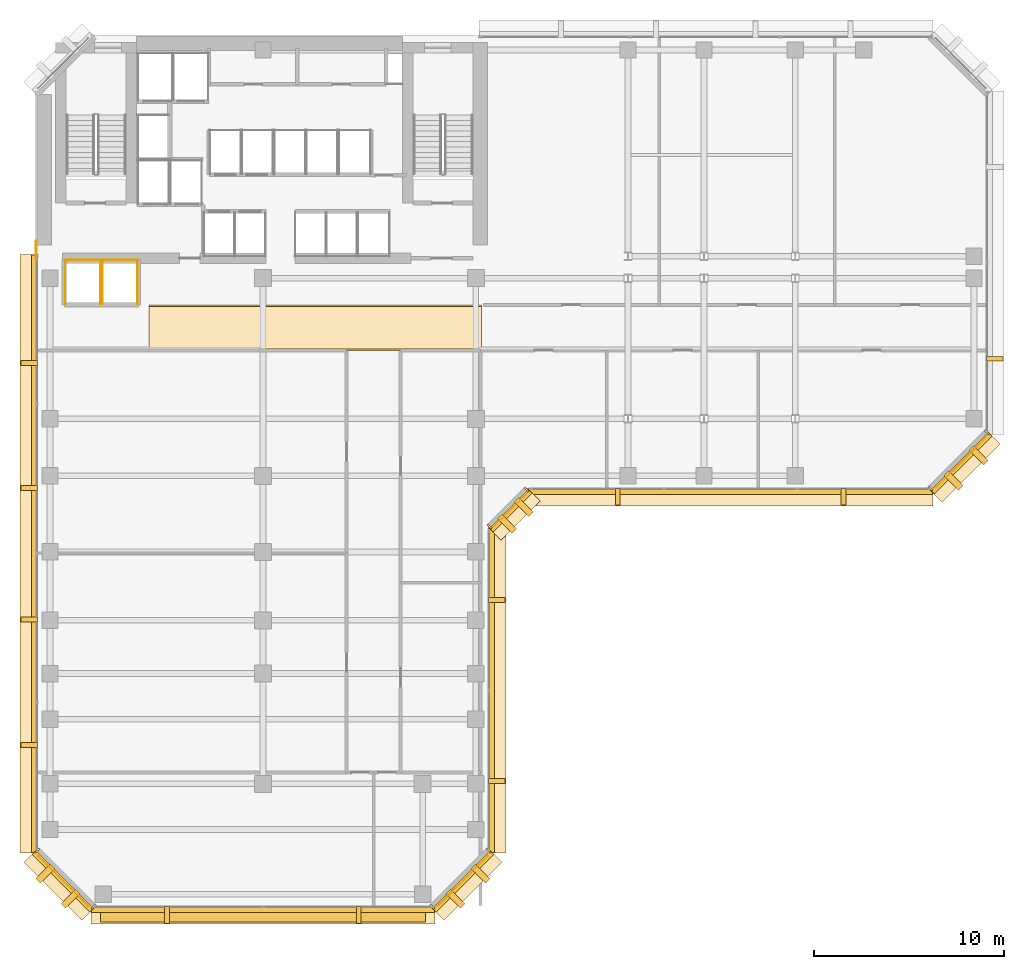
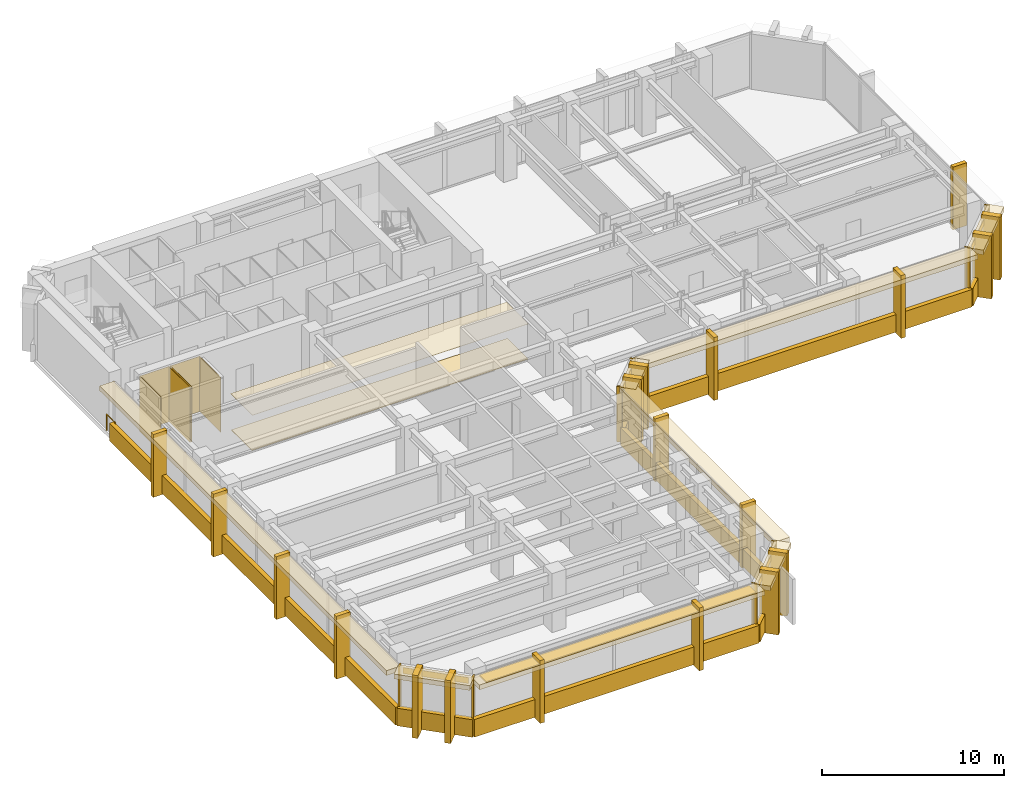
# One storey, part 9 of 12: 55 coverings, 1 railing, 1 shading device.
"""IFC4 building model written with IfcOpenShell, lengths in metres."""

from ifc_helpers import new_model, si_unit, direction, frame, origin, origin_2d, place, context, subcontext, project, spatial, polyline, rectangle, circle, outline, extrude, material, layer, layer_set, type_object, element, save


model = new_model("IFC4")

# Units and contexts
model_context = context("Model", 3, precision=1e-05, world=origin(), true_north=direction((0.0, 1.0)))
body_context = subcontext(model_context, "Body", "Model", "MODEL_VIEW")
ifc_project = project(units=[si_unit("LENGTHUNIT", "METRE"), si_unit("AREAUNIT", "SQUARE_METRE"), si_unit("VOLUMEUNIT", "CUBIC_METRE"), si_unit("PLANEANGLEUNIT", "RADIAN"), si_unit("MASSUNIT", "GRAM", prefix="KILO")], contexts=[model_context])

# Site, building, storey
site_placement = place(None, origin())
site = spatial("IfcSite", under=ifc_project, at=site_placement, CompositionType="ELEMENT")
building_placement = place(site_placement, origin())
building = spatial("IfcBuilding", under=site, at=building_placement, Name="Kefirva Bronze Tower", CompositionType="ELEMENT")
storey_placement = place(building_placement, frame((0.0, 0.0, 122.429931640625)))
storey = spatial("IfcBuildingStorey", under=building, at=storey_placement, Name="L29", CompositionType="ELEMENT", Elevation=122.429931640625)

# Coverings
ifc_material_1 = material(Name="Acoustic mineral tile")
ifc_layer_1 = layer(ifc_material_1, 0.02490234375, Name="Acoustic mineral tile")
ifc_layer_set_1 = layer_set([ifc_layer_1], Name="Acoustic mineral tile")
covering_type_1 = type_object("IfcCoveringType", Name="Acoustic Mineral Suspended Ceiling 25mm", PredefinedType="CEILING", material=ifc_layer_set_1)
covering_1_placement = place(storey_placement, frame((0.0, 0.0, 2.400146484375)))
element("IfcCovering", 1, at=covering_1_placement, inside=storey, type_object=covering_type_1, Name="L29 Corridor Acoustic Ceiling", PredefinedType="CEILING", context=body_context, shape_type="SweptSolid", body=[
    extrude(outline(polyline([(6.0, 29.39990234375), (23.5, 29.39990234375), (23.5, 31.800048828125), (6.0, 31.800048828125), (6.0, 29.39990234375)])), origin(), (0.0, 0.0, 1.0), 0.02490234375),
])
ifc_material_2 = material(Name="Bronze anodised aluminium", Category="aluminium")
ifc_layer_2 = layer(ifc_material_2, 0.02001953125, Name="Bronze anodised aluminium")
ifc_layer_set_2 = layer_set([ifc_layer_2], Name="Bronze anodised aluminium")
covering_type_2 = type_object("IfcCoveringType", Name="Anodised Bronze Spandrel Cladding 20mm", PredefinedType="CLADDING", material=ifc_layer_set_2)
covering_2_placement = place(storey_placement, frame((12.0, -0.0400390625, -0.15966796875), z_axis=(0.0, 0.0, 1.0), x_axis=(1.0, 0.0, 0.0)))
element("IfcCovering", 2, at=covering_2_placement, inside=storey, type_object=covering_type_2, Name="L29 Streamline Horizontal Spandrel Band 0", PredefinedType="CLADDING", context=body_context, shape_type="SweptSolid", body=[
    extrude(rectangle(XDim=18.0400390625, YDim=0.280029296875, at=origin_2d()), origin(), (0.0, 0.0, 1.0), 1.179931640625),
])
covering_3_placement = place(storey_placement, frame((22.507080078125, 1.492919921875, 3.2900390625), z_axis=(0.0, 0.0, 1.0), x_axis=(0.707106781187, 0.707106781187, 0.0)))
element("IfcCovering", 3, at=covering_3_placement, inside=storey, type_object=covering_type_2, Name="L29 Bronze Spandrel Cladding 1", PredefinedType="CLADDING", context=body_context, shape_type="SweptSolid", body=[
    extrude(rectangle(XDim=3.719482421875, YDim=0.02001953125, at=origin_2d()), origin(), (0.0, 0.0, 1.0), 0.39990234375),
])
for number, where, z_axis, x_axis, name in (
    (4, (20.91162109375, 0.137939453125, 0.0), (0.0, 0.0, 1.0), (0.707106781187, 0.707106781187, 0.0), "L29 Facade Joint Closure Panel 1S"),
    (5, (23.862060546875, 3.08837890625, 0.0), (0.0, 0.0, 1.0), (0.707106781187, 0.707106781187, 0.0), "L29 Facade Joint Closure Panel 1E"),
):
    element("IfcCovering", number, at=place(storey_placement, frame(where, z_axis=z_axis, x_axis=x_axis)), inside=storey, type_object=covering_type_2, Name=name, PredefinedType="CLADDING", context=body_context, shape_type="SweptSolid", body=[
        extrude(rectangle(XDim=0.10009765625, YDim=0.320068359375, at=origin_2d()), origin(), (0.0, 0.0, 1.0), 3.7099609375),
    ])
covering_4_placement = place(storey_placement, frame((22.5283203125, 1.4716796875, -0.15966796875), z_axis=(0.0, 0.0, 1.0), x_axis=(0.707106781187, 0.707106781187, 0.0)))
element("IfcCovering", 6, at=covering_4_placement, inside=storey, type_object=covering_type_2, Name="L29 Streamline Horizontal Spandrel Band 1", PredefinedType="CLADDING", context=body_context, shape_type="SweptSolid", body=[
    extrude(rectangle(XDim=4.28271484375, YDim=0.280029296875, at=origin_2d()), origin(), (0.0, 0.0, 1.0), 1.179931640625),
])
covering_5_placement = place(storey_placement, frame((24.0400390625, 11.5, -0.15966796875), z_axis=(0.0, 0.0, 1.0), x_axis=(0.0, 1.0, 0.0)))
element("IfcCovering", 7, at=covering_5_placement, inside=storey, type_object=covering_type_2, Name="L29 Streamline Horizontal Spandrel Band 2", PredefinedType="CLADDING", context=body_context, shape_type="SweptSolid", body=[
    extrude(rectangle(XDim=17.0400390625, YDim=0.280029296875, at=origin_2d()), origin(), (0.0, 0.0, 1.0), 1.179931640625),
])
covering_6_placement = place(storey_placement, frame((25.007080078125, 20.992919921875, 3.2900390625), z_axis=(0.0, 0.0, 1.0), x_axis=(0.707106781187, 0.707106781187, 0.0)))
element("IfcCovering", 8, at=covering_6_placement, inside=storey, type_object=covering_type_2, Name="L29 Bronze Spandrel Cladding 2", PredefinedType="CLADDING", context=body_context, shape_type="SweptSolid", body=[
    extrude(rectangle(XDim=2.446533203125, YDim=0.02001953125, at=origin_2d()), origin(), (0.0, 0.0, 1.0), 0.39990234375),
])
for number, where, z_axis, x_axis, name in (
    (9, (23.91162109375, 20.137939453125, 0.0), (0.0, 0.0, 1.0), (0.707106781187, 0.707106781187, 0.0), "L29 Facade Joint Closure Panel 2S"),
    (10, (25.862060546875, 22.08837890625, 0.0), (0.0, 0.0, 1.0), (0.707106781187, 0.707106781187, 0.0), "L29 Facade Joint Closure Panel 2E"),
):
    element("IfcCovering", number, at=place(storey_placement, frame(where, z_axis=z_axis, x_axis=x_axis)), inside=storey, type_object=covering_type_2, Name=name, PredefinedType="CLADDING", context=body_context, shape_type="SweptSolid", body=[
        extrude(rectangle(XDim=0.10009765625, YDim=0.320068359375, at=origin_2d()), origin(), (0.0, 0.0, 1.0), 3.7099609375),
    ])
covering_7_placement = place(storey_placement, frame((25.0283203125, 20.9716796875, -0.15966796875), z_axis=(0.0, 0.0, 1.0), x_axis=(0.707106781187, 0.707106781187, 0.0)))
element("IfcCovering", 11, at=covering_7_placement, inside=storey, type_object=covering_type_2, Name="L29 Streamline Horizontal Spandrel Band 3", PredefinedType="CLADDING", context=body_context, shape_type="SweptSolid", body=[
    extrude(rectangle(XDim=2.868408203125, YDim=0.280029296875, at=origin_2d()), origin(), (0.0, 0.0, 1.0), 1.179931640625),
])
covering_8_placement = place(storey_placement, frame((36.60009765625, 21.9599609375, -0.15966796875), z_axis=(0.0, 0.0, 1.0), x_axis=(1.0, 0.0, 0.0)))
element("IfcCovering", 12, at=covering_8_placement, inside=storey, type_object=covering_type_2, Name="L29 Streamline Horizontal Spandrel Band 4", PredefinedType="CLADDING", context=body_context, shape_type="SweptSolid", body=[
    extrude(rectangle(XDim=21.239990234375, YDim=0.280029296875, at=origin_2d()), origin(), (0.0, 0.0, 1.0), 1.179931640625),
])
covering_9_placement = place(storey_placement, frame((48.70703125, 23.492919921875, 3.2900390625), z_axis=(0.0, 0.0, 1.0), x_axis=(0.707106781187, 0.707106781187, 0.0)))
element("IfcCovering", 13, at=covering_9_placement, inside=storey, type_object=covering_type_2, Name="L29 Bronze Spandrel Cladding 3", PredefinedType="CLADDING", context=body_context, shape_type="SweptSolid", body=[
    extrude(rectangle(XDim=3.719482421875, YDim=0.02001953125, at=origin_2d()), origin(), (0.0, 0.0, 1.0), 0.39990234375),
])
for number, where, z_axis, x_axis, name in (
    (14, (47.11181640625, 22.137939453125, 0.0), (0.0, 0.0, 1.0), (0.707106781187, 0.707106781187, 0.0), "L29 Facade Joint Closure Panel 3S"),
    (15, (50.06201171875, 25.08837890625, 0.0), (0.0, 0.0, 1.0), (0.707106781187, 0.707106781187, 0.0), "L29 Facade Joint Closure Panel 3E"),
):
    element("IfcCovering", number, at=place(storey_placement, frame(where, z_axis=z_axis, x_axis=x_axis)), inside=storey, type_object=covering_type_2, Name=name, PredefinedType="CLADDING", context=body_context, shape_type="SweptSolid", body=[
        extrude(rectangle(XDim=0.10009765625, YDim=0.320068359375, at=origin_2d()), origin(), (0.0, 0.0, 1.0), 3.7099609375),
    ])
covering_10_placement = place(storey_placement, frame((48.728271484375, 23.4716796875, -0.15966796875), z_axis=(0.0, 0.0, 1.0), x_axis=(0.707106781187, 0.707106781187, 0.0)))
element("IfcCovering", 16, at=covering_10_placement, inside=storey, type_object=covering_type_2, Name="L29 Streamline Horizontal Spandrel Band 5", PredefinedType="CLADDING", context=body_context, shape_type="SweptSolid", body=[
    extrude(rectangle(XDim=4.28271484375, YDim=0.280029296875, at=origin_2d()), origin(), (0.0, 0.0, 1.0), 1.179931640625),
])
covering_11_placement = place(storey_placement, frame((-0.0400390625, 18.697509765625, -0.15966796875), z_axis=(0.0, 0.0, 1.0), x_axis=(0.0, -1.0, 0.0)))
element("IfcCovering", 17, at=covering_11_placement, inside=storey, type_object=covering_type_2, Name="L29 Streamline Horizontal Spandrel Band 10", PredefinedType="CLADDING", context=body_context, shape_type="SweptSolid", body=[
    extrude(rectangle(XDim=31.43505859375, YDim=0.280029296875, at=origin_2d()), origin(), (0.0, 0.0, 1.0), 1.179931640625),
])
covering_12_placement = place(storey_placement, frame((1.492919921875, 1.492919921875, 3.2900390625), z_axis=(0.0, 0.0, 1.0), x_axis=(0.707106781187, -0.707106781187, 0.0)))
element("IfcCovering", 18, at=covering_12_placement, inside=storey, type_object=covering_type_2, Name="L29 Bronze Spandrel Cladding 6", PredefinedType="CLADDING", context=body_context, shape_type="SweptSolid", body=[
    extrude(rectangle(XDim=3.719482421875, YDim=0.02001953125, at=origin_2d()), origin(), (0.0, 0.0, 1.0), 0.39990234375),
])
for number, where, z_axis, x_axis, name in (
    (19, (0.137939453125, 3.08837890625, 0.0), (0.0, 0.0, 1.0), (0.707106781187, -0.707106781187, 0.0), "L29 Facade Joint Closure Panel 6S"),
    (20, (3.08837890625, 0.137939453125, 0.0), (0.0, 0.0, 1.0), (0.707106781187, -0.707106781187, 0.0), "L29 Facade Joint Closure Panel 6E"),
):
    element("IfcCovering", number, at=place(storey_placement, frame(where, z_axis=z_axis, x_axis=x_axis)), inside=storey, type_object=covering_type_2, Name=name, PredefinedType="CLADDING", context=body_context, shape_type="SweptSolid", body=[
        extrude(rectangle(XDim=0.10009765625, YDim=0.320068359375, at=origin_2d()), origin(), (0.0, 0.0, 1.0), 3.7099609375),
    ])
covering_13_placement = place(storey_placement, frame((1.4716796875, 1.4716796875, -0.15966796875), z_axis=(0.0, 0.0, 1.0), x_axis=(0.707106781187, -0.707106781187, 0.0)))
element("IfcCovering", 21, at=covering_13_placement, inside=storey, type_object=covering_type_2, Name="L29 Streamline Horizontal Spandrel Band 11", PredefinedType="CLADDING", context=body_context, shape_type="SweptSolid", body=[
    extrude(rectangle(XDim=4.28271484375, YDim=0.280029296875, at=origin_2d()), origin(), (0.0, 0.0, 1.0), 1.179931640625),
])
covering_14_placement = place(storey_placement, origin())
element("IfcCovering", 22, at=covering_14_placement, inside=storey, type_object=covering_type_2, Name="L29 Lift OB1 Hoistway Liner N", PredefinedType="CLADDING", context=body_context, shape_type="SweptSolid", body=[
    extrude(outline(polyline([(1.580078125, 34.139892578125), (3.469970703125, 34.139892578125), (3.469970703125, 34.159912109375), (1.580078125, 34.159912109375), (1.580078125, 34.139892578125)])), origin(), (0.0, 0.0, 1.0), 3.7099609375),
])
covering_15_placement = place(storey_placement, origin())
element("IfcCovering", 23, at=covering_15_placement, inside=storey, type_object=covering_type_2, Name="L29 Lift OB1 Hoistway Liner W", PredefinedType="CLADDING", context=body_context, shape_type="SweptSolid", body=[
    extrude(outline(polyline([(1.590087890625, 31.830078125), (1.610107421875, 31.830078125), (1.610107421875, 34.169921875), (1.590087890625, 34.169921875), (1.590087890625, 31.830078125)])), origin(), (0.0, 0.0, 1.0), 3.7099609375),
])
covering_16_placement = place(storey_placement, origin())
element("IfcCovering", 24, at=covering_16_placement, inside=storey, type_object=covering_type_2, Name="L29 Lift OB1 Hoistway Liner E", PredefinedType="CLADDING", context=body_context, shape_type="SweptSolid", body=[
    extrude(outline(polyline([(3.43994140625, 31.830078125), (3.4599609375, 31.830078125), (3.4599609375, 34.169921875), (3.43994140625, 34.169921875), (3.43994140625, 31.830078125)])), origin(), (0.0, 0.0, 1.0), 3.7099609375),
])
covering_17_placement = place(storey_placement, origin())
element("IfcCovering", 25, at=covering_17_placement, inside=storey, type_object=covering_type_2, Name="L29 Lift OB2 Hoistway Liner N", PredefinedType="CLADDING", context=body_context, shape_type="SweptSolid", body=[
    extrude(outline(polyline([(3.530029296875, 34.139892578125), (5.419921875, 34.139892578125), (5.419921875, 34.159912109375), (3.530029296875, 34.159912109375), (3.530029296875, 34.139892578125)])), origin(), (0.0, 0.0, 1.0), 3.7099609375),
])
covering_18_placement = place(storey_placement, origin())
element("IfcCovering", 26, at=covering_18_placement, inside=storey, type_object=covering_type_2, Name="L29 Lift OB2 Hoistway Liner W", PredefinedType="CLADDING", context=body_context, shape_type="SweptSolid", body=[
    extrude(outline(polyline([(3.5400390625, 31.830078125), (3.56005859375, 31.830078125), (3.56005859375, 34.169921875), (3.5400390625, 34.169921875), (3.5400390625, 31.830078125)])), origin(), (0.0, 0.0, 1.0), 3.7099609375),
])
covering_19_placement = place(storey_placement, origin())
element("IfcCovering", 27, at=covering_19_placement, inside=storey, type_object=covering_type_2, Name="L29 Lift OB2 Hoistway Liner E", PredefinedType="CLADDING", context=body_context, shape_type="SweptSolid", body=[
    extrude(outline(polyline([(5.389892578125, 31.830078125), (5.409912109375, 31.830078125), (5.409912109375, 34.169921875), (5.389892578125, 34.169921875), (5.389892578125, 31.830078125)])), origin(), (0.0, 0.0, 1.0), 3.7099609375),
])

# Shading device
ifc_layer_3 = layer(ifc_material_2, 0.090087890625, Name="Bronze anodised aluminium")
ifc_layer_set_3 = layer_set([ifc_layer_3], Name="Bronze anodised aluminium")
shading_device_type = type_object("IfcShadingDeviceType", Name="Horizontal Bronze Sunshade Band 750mm", PredefinedType="JALOUSIE", material=ifc_layer_set_3)
shading_device_placement = place(storey_placement, frame((12.0, -0.294921875, 3.60498046875), z_axis=(0.0, 0.0, 1.0), x_axis=(1.0, 0.0, 0.0)))
element("IfcShadingDevice", 28, at=shading_device_placement, inside=storey, type_object=shading_device_type, Name="L29 Horizontal Bronze Sunshade Band 0", PredefinedType="JALOUSIE", context=body_context, shape_type="SweptSolid", body=[
    extrude(rectangle(XDim=17.090087890625, YDim=0.75, at=origin_2d()), origin(), (0.0, 0.0, 1.0), 0.090087890625),
])

# Railing
ifc_material_3 = material(Name="Stainless steel 316", Category="steel")
railing_type = type_object("IfcRailingType", Name="Interior Stair Guardrail 1100mm", PredefinedType="GUARDRAIL", material=ifc_material_3)
railing_placement = place(storey_placement, frame((0.080078125, 34.199951171875, 0.0)))
element("IfcRailing", 29, at=railing_placement, inside=storey, type_object=railing_type, Name="L29 West Core Junction Guardrail", PredefinedType="GUARDRAIL", context=body_context, shape_type="SweptSolid", body=[
    extrude(circle(Radius=0.02392578125, at=origin_2d()), frame((0.0, 0.0, 1.076171875), z_axis=(0.0, 1.0, 0.0), x_axis=(-1.0, 0.0, 0.0)), (0.0, 0.0, 1.0), 0.949951171875),
    extrude(circle(Radius=0.02099609375, at=origin_2d()), origin(), (0.0, 0.0, 1.0), 1.052001953125),
    extrude(circle(Radius=0.02099609375, at=origin_2d()), frame((0.0, 0.949951171875, 0.0)), (0.0, 0.0, 1.0), 1.052001953125),
])

# Coverings
ifc_material_4 = material(Name="Calcium sulphate access tile")
ifc_layer_4 = layer(ifc_material_4, 0.044921875, Name="Calcium sulphate access tile")
ifc_layer_set_4 = layer_set([ifc_layer_4], Name="Calcium sulphate access tile")
covering_type_3 = type_object("IfcCoveringType", Name="Raised Access Office Flooring 45mm", PredefinedType="FLOORING", material=ifc_layer_set_4)
covering_20_placement = place(storey_placement, origin())
element("IfcCovering", 30, at=covering_20_placement, inside=storey, type_object=covering_type_3, Name="L29 Architectural Finish Flooring", PredefinedType="FLOORING", context=body_context, shape_type="SweptSolid", body=[
    extrude(outline(polyline([(6.0, 29.47998046875), (23.5, 29.47998046875), (23.5, 31.719970703125), (6.0, 31.719970703125), (6.0, 29.47998046875)])), origin(), (0.0, 0.0, 1.0), 0.045166015625),
])
ifc_layer_5 = layer(ifc_material_2, 0.179931640625, Name="Bronze anodised aluminium")
ifc_layer_set_5 = layer_set([ifc_layer_5], Name="Bronze anodised aluminium")
covering_type_4 = type_object("IfcCoveringType", Name="Streamline Bronze Sunshade Eyebrow Cladding 180mm", PredefinedType="CLADDING", material=ifc_layer_set_5)
covering_21_placement = place(storey_placement, frame((12.0, -0.31005859375, 3.39013671875), z_axis=(0.0, 0.0, 1.0), x_axis=(1.0, 0.0, 0.0)))
element("IfcCovering", 31, at=covering_21_placement, inside=storey, type_object=covering_type_4, Name="L29 Streamline Bronze Sunshade Eyebrow 0", PredefinedType="CLADDING", context=body_context, shape_type="SweptSolid", body=[
    extrude(rectangle(XDim=18.080078125, YDim=0.93994140625, at=origin_2d()), origin(), (0.0, 0.0, 1.0), 0.320068359375),
])
covering_22_placement = place(storey_placement, frame((22.71923828125, 1.28076171875, 3.39013671875), z_axis=(0.0, 0.0, 1.0), x_axis=(0.707106781187, 0.707106781187, 0.0)))
element("IfcCovering", 32, at=covering_22_placement, inside=storey, type_object=covering_type_4, Name="L29 Streamline Bronze Sunshade Eyebrow 1", PredefinedType="CLADDING", context=body_context, shape_type="SweptSolid", body=[
    extrude(rectangle(XDim=4.322509765625, YDim=0.93994140625, at=origin_2d()), origin(), (0.0, 0.0, 1.0), 0.320068359375),
])
covering_23_placement = place(storey_placement, frame((24.31005859375, 11.5, 3.39013671875), z_axis=(0.0, 0.0, 1.0), x_axis=(0.0, 1.0, 0.0)))
element("IfcCovering", 33, at=covering_23_placement, inside=storey, type_object=covering_type_4, Name="L29 Streamline Bronze Sunshade Eyebrow 2", PredefinedType="CLADDING", context=body_context, shape_type="SweptSolid", body=[
    extrude(rectangle(XDim=17.080078125, YDim=0.93994140625, at=origin_2d()), origin(), (0.0, 0.0, 1.0), 0.320068359375),
])
covering_24_placement = place(storey_placement, frame((25.21923828125, 20.78076171875, 3.39013671875), z_axis=(0.0, 0.0, 1.0), x_axis=(0.707106781187, 0.707106781187, 0.0)))
element("IfcCovering", 34, at=covering_24_placement, inside=storey, type_object=covering_type_4, Name="L29 Streamline Bronze Sunshade Eyebrow 3", PredefinedType="CLADDING", context=body_context, shape_type="SweptSolid", body=[
    extrude(rectangle(XDim=2.908447265625, YDim=0.93994140625, at=origin_2d()), origin(), (0.0, 0.0, 1.0), 0.320068359375),
])
covering_25_placement = place(storey_placement, frame((36.60009765625, 21.68994140625, 3.39013671875), z_axis=(0.0, 0.0, 1.0), x_axis=(1.0, 0.0, 0.0)))
element("IfcCovering", 35, at=covering_25_placement, inside=storey, type_object=covering_type_4, Name="L29 Streamline Bronze Sunshade Eyebrow 4", PredefinedType="CLADDING", context=body_context, shape_type="SweptSolid", body=[
    extrude(rectangle(XDim=21.280029296875, YDim=0.93994140625, at=origin_2d()), origin(), (0.0, 0.0, 1.0), 0.320068359375),
])
covering_26_placement = place(storey_placement, frame((48.919189453125, 23.28076171875, 3.39013671875), z_axis=(0.0, 0.0, 1.0), x_axis=(0.707106781187, 0.707106781187, 0.0)))
element("IfcCovering", 36, at=covering_26_placement, inside=storey, type_object=covering_type_4, Name="L29 Streamline Bronze Sunshade Eyebrow 5", PredefinedType="CLADDING", context=body_context, shape_type="SweptSolid", body=[
    extrude(rectangle(XDim=4.322509765625, YDim=0.93994140625, at=origin_2d()), origin(), (0.0, 0.0, 1.0), 0.320068359375),
])
covering_27_placement = place(storey_placement, frame((-0.31005859375, 18.697509765625, 3.39013671875), z_axis=(0.0, 0.0, 1.0), x_axis=(0.0, -1.0, 0.0)))
element("IfcCovering", 37, at=covering_27_placement, inside=storey, type_object=covering_type_4, Name="L29 Streamline Bronze Sunshade Eyebrow 10", PredefinedType="CLADDING", context=body_context, shape_type="SweptSolid", body=[
    extrude(rectangle(XDim=31.47509765625, YDim=0.93994140625, at=origin_2d()), origin(), (0.0, 0.0, 1.0), 0.320068359375),
])
covering_28_placement = place(storey_placement, frame((1.28076171875, 1.28076171875, 3.39013671875), z_axis=(0.0, 0.0, 1.0), x_axis=(0.707106781187, -0.707106781187, 0.0)))
element("IfcCovering", 38, at=covering_28_placement, inside=storey, type_object=covering_type_4, Name="L29 Streamline Bronze Sunshade Eyebrow 11", PredefinedType="CLADDING", context=body_context, shape_type="SweptSolid", body=[
    extrude(rectangle(XDim=4.322509765625, YDim=0.93994140625, at=origin_2d()), origin(), (0.0, 0.0, 1.0), 0.320068359375),
])
ifc_layer_6 = layer(ifc_material_2, 0.260009765625, Name="Bronze anodised aluminium")
ifc_layer_set_6 = layer_set([ifc_layer_6], Name="Bronze anodised aluminium")
covering_type_5 = type_object("IfcCoveringType", Name="Unbroken Bronze Buttress Fin Cladding 260mm", PredefinedType="CLADDING", material=ifc_layer_set_6)
for number, where, z_axis, x_axis, name in (
    (39, (6.9599609375, -0.300048828125, -0.25), (0.0, 0.0, 1.0), (1.0, 0.0, 0.0), "L29 Unbroken Vertical Bronze Rib Fin 1"),
    (40, (17.0400390625, -0.300048828125, -0.25), (0.0, 0.0, 1.0), (1.0, 0.0, 0.0), "L29 Unbroken Vertical Bronze Rib Fin 2"),
):
    element("IfcCovering", number, at=place(storey_placement, frame(where, z_axis=z_axis, x_axis=x_axis)), inside=storey, type_object=covering_type_5, Name=name, PredefinedType="CLADDING", context=body_context, shape_type="SweptSolid", body=[
        extrude(rectangle(XDim=0.260009765625, YDim=0.8798828125, at=origin_2d()), origin(), (0.0, 0.0, 1.0), 4.2099609375),
    ])
for number, where, z_axis, x_axis, name in (
    (41, (22.122802734375, 0.55712890625, -0.25), (0.0, 0.0, 1.0), (0.707106781187, 0.707106781187, 0.0), "L29 Chamfered Corner Buttress Fin Cladding 3"),
    (42, (23.44287109375, 1.877197265625, -0.25), (0.0, 0.0, 1.0), (0.707106781187, 0.707106781187, 0.0), "L29 Chamfered Corner Buttress Fin Cladding 4"),
):
    element("IfcCovering", number, at=place(storey_placement, frame(where, z_axis=z_axis, x_axis=x_axis)), inside=storey, type_object=covering_type_5, Name=name, PredefinedType="CLADDING", context=body_context, shape_type="SweptSolid", body=[
        extrude(rectangle(XDim=0.340087890625, YDim=1.080078125, at=origin_2d()), origin(), (0.0, 0.0, 1.0), 4.2099609375),
    ])
for number, where, z_axis, x_axis, name in (
    (43, (24.300048828125, 6.739990234375, -0.25), (0.0, 0.0, 1.0), (0.0, 1.0, 0.0), "L29 Unbroken Vertical Bronze Rib Fin 5"),
    (44, (24.300048828125, 16.260009765625, -0.25), (0.0, 0.0, 1.0), (0.0, 1.0, 0.0), "L29 Unbroken Vertical Bronze Rib Fin 6"),
):
    element("IfcCovering", number, at=place(storey_placement, frame(where, z_axis=z_axis, x_axis=x_axis)), inside=storey, type_object=covering_type_5, Name=name, PredefinedType="CLADDING", context=body_context, shape_type="SweptSolid", body=[
        extrude(rectangle(XDim=0.260009765625, YDim=0.8798828125, at=origin_2d()), origin(), (0.0, 0.0, 1.0), 4.2099609375),
    ])
for number, where, z_axis, x_axis, name in (
    (45, (24.8427734375, 20.277099609375, -0.25), (0.0, 0.0, 1.0), (0.707106781187, 0.707106781187, 0.0), "L29 Chamfered Corner Buttress Fin Cladding 7"),
    (46, (25.722900390625, 21.1572265625, -0.25), (0.0, 0.0, 1.0), (0.707106781187, 0.707106781187, 0.0), "L29 Chamfered Corner Buttress Fin Cladding 8"),
):
    element("IfcCovering", number, at=place(storey_placement, frame(where, z_axis=z_axis, x_axis=x_axis)), inside=storey, type_object=covering_type_5, Name=name, PredefinedType="CLADDING", context=body_context, shape_type="SweptSolid", body=[
        extrude(rectangle(XDim=0.340087890625, YDim=1.080078125, at=origin_2d()), origin(), (0.0, 0.0, 1.0), 4.2099609375),
    ])
for number, where, z_axis, x_axis, name in (
    (47, (30.6640625, 21.699951171875, -0.25), (0.0, 0.0, 1.0), (1.0, 0.0, 0.0), "L29 Unbroken Vertical Bronze Rib Fin 9"),
    (48, (42.535888671875, 21.699951171875, -0.25), (0.0, 0.0, 1.0), (1.0, 0.0, 0.0), "L29 Unbroken Vertical Bronze Rib Fin 10"),
):
    element("IfcCovering", number, at=place(storey_placement, frame(where, z_axis=z_axis, x_axis=x_axis)), inside=storey, type_object=covering_type_5, Name=name, PredefinedType="CLADDING", context=body_context, shape_type="SweptSolid", body=[
        extrude(rectangle(XDim=0.260009765625, YDim=0.8798828125, at=origin_2d()), origin(), (0.0, 0.0, 1.0), 4.2099609375),
    ])
for number, where, z_axis, x_axis, name in (
    (49, (48.32275390625, 22.55712890625, -0.25), (0.0, 0.0, 1.0), (0.707106781187, 0.707106781187, 0.0), "L29 Chamfered Corner Buttress Fin Cladding 11"),
    (50, (49.642822265625, 23.877197265625, -0.25), (0.0, 0.0, 1.0), (0.707106781187, 0.707106781187, 0.0), "L29 Chamfered Corner Buttress Fin Cladding 12"),
):
    element("IfcCovering", number, at=place(storey_placement, frame(where, z_axis=z_axis, x_axis=x_axis)), inside=storey, type_object=covering_type_5, Name=name, PredefinedType="CLADDING", context=body_context, shape_type="SweptSolid", body=[
        extrude(rectangle(XDim=0.340087890625, YDim=1.080078125, at=origin_2d()), origin(), (0.0, 0.0, 1.0), 4.2099609375),
    ])
for number, where, z_axis, x_axis, name in (
    (51, (50.5, 28.9599609375, -0.25), (0.0, 0.0, 1.0), (0.0, 1.0, 0.0), "L29 Unbroken Vertical Bronze Rib Fin 13"),
    (52, (-0.300048828125, 28.743896484375, -0.25), (0.0, 0.0, 1.0), (0.0, -1.0, 0.0), "L29 Unbroken Vertical Bronze Rib Fin 23"),
    (53, (-0.300048828125, 22.15087890625, -0.25), (0.0, 0.0, 1.0), (0.0, -1.0, 0.0), "L29 Unbroken Vertical Bronze Rib Fin 24"),
    (54, (-0.300048828125, 15.244140625, -0.25), (0.0, 0.0, 1.0), (0.0, -1.0, 0.0), "L29 Unbroken Vertical Bronze Rib Fin 25"),
    (55, (-0.300048828125, 8.651123046875, -0.25), (0.0, 0.0, 1.0), (0.0, -1.0, 0.0), "L29 Unbroken Vertical Bronze Rib Fin 26"),
):
    element("IfcCovering", number, at=place(storey_placement, frame(where, z_axis=z_axis, x_axis=x_axis)), inside=storey, type_object=covering_type_5, Name=name, PredefinedType="CLADDING", context=body_context, shape_type="SweptSolid", body=[
        extrude(rectangle(XDim=0.260009765625, YDim=0.8798828125, at=origin_2d()), origin(), (0.0, 0.0, 1.0), 4.2099609375),
    ])
for number, where, z_axis, x_axis, name in (
    (56, (0.55712890625, 1.877197265625, -0.25), (0.0, 0.0, 1.0), (0.707106781187, -0.707106781187, 0.0), "L29 Chamfered Corner Buttress Fin Cladding 27"),
    (57, (1.877197265625, 0.55712890625, -0.25), (0.0, 0.0, 1.0), (0.707106781187, -0.707106781187, 0.0), "L29 Chamfered Corner Buttress Fin Cladding 28"),
):
    element("IfcCovering", number, at=place(storey_placement, frame(where, z_axis=z_axis, x_axis=x_axis)), inside=storey, type_object=covering_type_5, Name=name, PredefinedType="CLADDING", context=body_context, shape_type="SweptSolid", body=[
        extrude(rectangle(XDim=0.340087890625, YDim=1.080078125, at=origin_2d()), origin(), (0.0, 0.0, 1.0), 4.2099609375),
    ])

save(model, "model.ifc")
